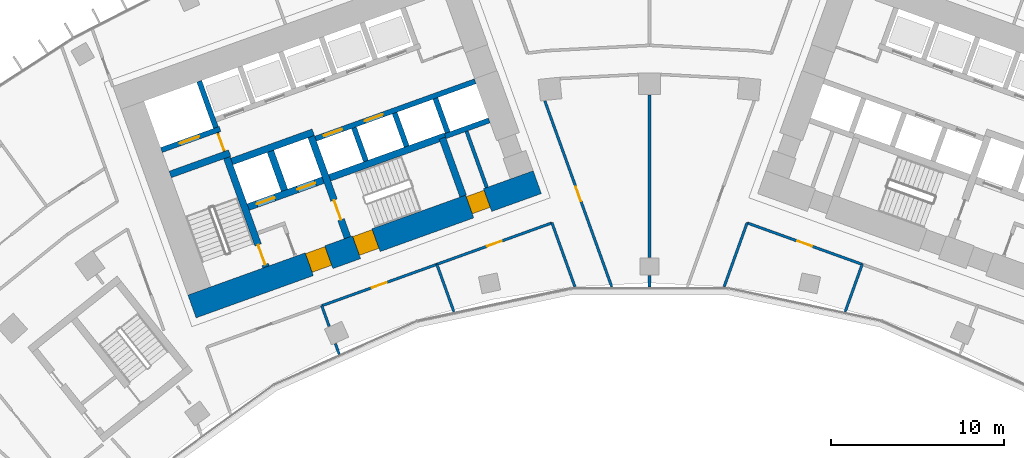
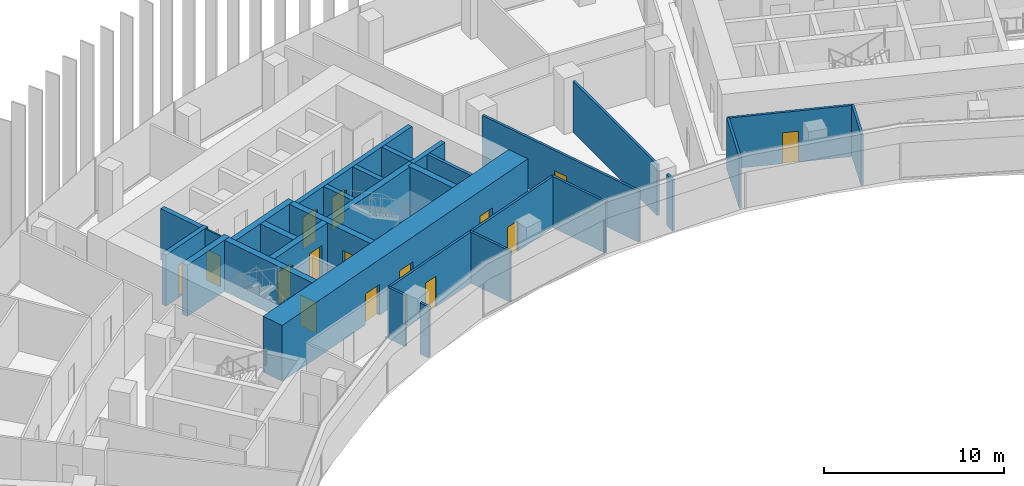
# One storey, part 16 of 23: 29 walls, 15 doors, 15 openings.
"""IFC4 building model written with IfcOpenShell, lengths in metres."""

from ifc_helpers import new_model, si_unit, direction, frame, frame_2d, origin, place, context, subcontext, project, spatial, rectangle, extrude, material, layer, layer_set, type_object, element, fill, save


model = new_model("IFC4")

# Units and contexts
model_context = context("Model", 3, precision=1e-05, world=origin(), true_north=direction((0.0, 1.0)))
body_context = subcontext(model_context, "Body", "Model", "MODEL_VIEW")
ifc_project = project(units=[si_unit("LENGTHUNIT", "METRE"), si_unit("AREAUNIT", "SQUARE_METRE"), si_unit("VOLUMEUNIT", "CUBIC_METRE"), si_unit("PLANEANGLEUNIT", "RADIAN"), si_unit("MASSUNIT", "GRAM", prefix="KILO")], contexts=[model_context])

# Site, building, storey
site_placement = place(None, origin())
site = spatial("IfcSite", under=ifc_project, at=site_placement, CompositionType="ELEMENT")
building_placement = place(site_placement, origin())
building = spatial("IfcBuilding", under=site, at=building_placement, Name="Stone Belt Terrace Tower", CompositionType="ELEMENT")
storey_placement = place(building_placement, frame((0.0, 0.0, 144.0)))
storey = spatial("IfcBuildingStorey", under=building, at=storey_placement, Name="L34", CompositionType="ELEMENT", Elevation=144.0)

# Wall, opening, door
ifc_material_1 = material(Name="Plasterboard partition")
ifc_layer_1 = layer(ifc_material_1, 0.10009765625)
ifc_layer_set_1 = layer_set([ifc_layer_1], Name="Core partition 100")
wall_type_1 = type_object("IfcWallType", Name="Core partition 100", PredefinedType="PARTITIONING", material=ifc_layer_set_1)
wall_1_placement = place(storey_placement, frame((-24.555908203125, 51.10400390625, 0.0), z_axis=(0.0, 0.0, 1.0), x_axis=(-0.338621735342, 0.94092258999, 0.0)))
wall_1 = element("IfcWall", 1, at=wall_1_placement, inside=storey, type_object=wall_type_1, Name="Core A wall", PredefinedType="PARTITIONING", context=body_context, shape_type="SweptSolid", body=[
    extrude(rectangle(XDim=1.14990234375, YDim=0.10009765625, at=frame_2d((0.574951171875, 0.0))), origin(), (0.0, 0.0, 1.0), 3.47998046875),
])
opening_1_placement = place(wall_1_placement, frame((0.050048828125, 0.0, 0.0)))
opening_1 = element("IfcOpeningElement", 2, at=opening_1_placement, cuts=wall_1, Name="Opening L34-C02", PredefinedType="OPENING", context=body_context, shape_type="SweptSolid", body=[
    extrude(rectangle(XDim=1.0, YDim=2.10009765625, at=frame_2d((0.5, 1.050048828125))), frame((0.0, 0.06005859375, 0.0), z_axis=(0.0, -1.0, 0.0), x_axis=(1.0, 0.0, 0.0)), (0.0, 0.0, 1.0), 0.1201171875),
])
ifc_material_2 = material(Name="Timber door leaf", Category="wood")
door_type_1 = type_object("IfcDoorType", Name="Core room door 1000", OperationType="SINGLE_SWING_LEFT", PredefinedType="DOOR", material=ifc_material_2)
door_1_placement = place(opening_1_placement, origin())
door_1 = element("IfcDoor", 3, at=door_1_placement, inside=storey, type_object=door_type_1, Name="Service lift lobby door core A", OperationType="SINGLE_SWING_RIGHT", OverallHeight=2.10009765625, OverallWidth=1.0, PredefinedType="DOOR", context=body_context, shape_type="SweptSolid", body=[
    extrude(rectangle(XDim=1.0, YDim=2.10009765625, at=frame_2d((0.5, 1.050048828125))), frame((0.0, 0.02490234375, 0.0), z_axis=(0.0, -1.0, 0.0), x_axis=(1.0, 0.0, 0.0)), (0.0, 0.0, 1.0), 0.050048828125),
])
fill(opening_1, door_1)

# Wall, openings, doors
ifc_material_3 = material(Name="Concrete B80", Category="concrete")
ifc_layer_2 = layer(ifc_material_3, 1.39990234375)
ifc_layer_set_2 = layer_set([ifc_layer_2], Name="Core wall 1400 B80")
wall_type_2 = type_object("IfcWallType", Name="Core wall 1400 B80", PredefinedType="SHEAR", material=ifc_layer_set_2)
wall_2_placement = place(storey_placement, frame((-26.430908203125, 42.139404296875, 0.0), z_axis=(0.0, 0.0, 1.0), x_axis=(0.940923374003, 0.33861955681, 0.0)))
wall_2 = element("IfcWall", 4, at=wall_2_placement, inside=storey, type_object=wall_type_2, Name="Core A wall concave L34", PredefinedType="SHEAR", context=body_context, shape_type="SweptSolid", body=[
    extrude(rectangle(XDim=21.199951171875, YDim=1.39990234375, at=frame_2d((10.60009765625, 0.0))), origin(), (0.0, 0.0, 1.0), 3.800048828125),
])
opening_2_placement = place(wall_2_placement, frame((7.199951171875, 0.0, 0.0)))
opening_2 = element("IfcOpeningElement", 5, at=opening_2_placement, cuts=wall_2, Name="Opening L34-C06", PredefinedType="OPENING", context=body_context, shape_type="SweptSolid", body=[
    extrude(rectangle(XDim=1.199951171875, YDim=2.10009765625, at=frame_2d((0.60009765625, 1.050048828125))), frame((0.0, 0.7099609375, 0.0), z_axis=(0.0, -1.0, 0.0), x_axis=(1.0, 0.0, 0.0)), (0.0, 0.0, 1.0), 1.419921875),
])
opening_3_placement = place(wall_2_placement, frame((10.099853515625, 0.0, 0.0)))
opening_3 = element("IfcOpeningElement", 6, at=opening_3_placement, cuts=wall_2, Name="Opening L34-C08", PredefinedType="OPENING", context=body_context, shape_type="SweptSolid", body=[
    extrude(rectangle(XDim=1.199951171875, YDim=2.10009765625, at=frame_2d((0.60009765625, 1.050048828125))), frame((0.0, 0.7099609375, 0.0), z_axis=(0.0, -1.0, 0.0), x_axis=(1.0, 0.0, 0.0)), (0.0, 0.0, 1.0), 1.419921875),
])
opening_4_placement = place(wall_2_placement, frame((17.050048828125, 0.0, 0.0)))
opening_4 = element("IfcOpeningElement", 7, at=opening_4_placement, cuts=wall_2, Name="Opening L34-C10", PredefinedType="OPENING", context=body_context, shape_type="SweptSolid", body=[
    extrude(rectangle(XDim=1.10009765625, YDim=2.10009765625, at=frame_2d((0.550048828125, 1.050048828125))), frame((0.0, 0.7099609375, 0.0), z_axis=(0.0, -1.0, 0.0), x_axis=(1.0, 0.0, 0.0)), (0.0, 0.0, 1.0), 1.419921875),
])
door_type_2 = type_object("IfcDoorType", Name="Core room door 1100", OperationType="SINGLE_SWING_LEFT", PredefinedType="DOOR", material=ifc_material_2)
door_2_placement = place(opening_4_placement, origin())
door_2 = element("IfcDoor", 8, at=door_2_placement, inside=storey, type_object=door_type_2, Name="Door to Communications riser room core A", OperationType="SINGLE_SWING_RIGHT", OverallHeight=2.10009765625, OverallWidth=1.10009765625, PredefinedType="DOOR", context=body_context, shape_type="SweptSolid", body=[
    extrude(rectangle(XDim=1.10009765625, YDim=2.10009765625, at=frame_2d((0.550048828125, 1.050048828125))), frame((0.0, 0.60498046875, 0.0), z_axis=(0.0, -1.0, 0.0), x_axis=(1.0, 0.0, 0.0)), (0.0, 0.0, 1.0), 1.050048828125),
])
fill(opening_4, door_2)
ifc_material_4 = material(Name="Steel door leaf", Category="steel")
door_type_3 = type_object("IfcDoorType", Name="Fire-fighting lobby door 1200", OperationType="SINGLE_SWING_LEFT", PredefinedType="DOOR", material=ifc_material_4)
door_3_placement = place(opening_2_placement, origin())
door_3 = element("IfcDoor", 9, at=door_3_placement, inside=storey, type_object=door_type_3, Name="Fire-fighting lobby door core A", OperationType="SINGLE_SWING_RIGHT", OverallHeight=2.10009765625, OverallWidth=1.199951171875, PredefinedType="DOOR", context=body_context, shape_type="SweptSolid", body=[
    extrude(rectangle(XDim=1.199951171875, YDim=2.10009765625, at=frame_2d((0.60009765625, 1.050048828125))), frame((0.0, 0.655029296875, 0.0), z_axis=(0.0, -1.0, 0.0), x_axis=(1.0, 0.0, 0.0)), (0.0, 0.0, 1.0), 1.14990234375),
])
fill(opening_2, door_3)
door_type_4 = type_object("IfcDoorType", Name="Stair door 1200", OperationType="SINGLE_SWING_LEFT", PredefinedType="DOOR", material=ifc_material_4)
door_4_placement = place(opening_3_placement, origin())
door_4 = element("IfcDoor", 10, at=door_4_placement, inside=storey, type_object=door_type_4, Name="Stair 2 exit door core A", OperationType="SINGLE_SWING_LEFT", OverallHeight=2.10009765625, OverallWidth=1.199951171875, PredefinedType="DOOR", context=body_context, shape_type="SweptSolid", body=[
    extrude(rectangle(XDim=1.199951171875, YDim=2.10009765625, at=frame_2d((0.60009765625, 1.050048828125))), frame((0.0, 0.655029296875, 0.0), z_axis=(0.0, -1.0, 0.0), x_axis=(1.0, 0.0, 0.0)), (0.0, 0.0, 1.0), 1.14990234375),
])
fill(opening_3, door_4)

# Walls
ifc_layer_3 = layer(ifc_material_3, 0.39990234375)
ifc_layer_set_3 = layer_set([ifc_layer_3], Name="Fire-fighting lift shaft wall 400")
wall_type_3 = type_object("IfcWallType", Name="Fire-fighting lift shaft wall 400", PredefinedType="SHEAR", material=ifc_layer_set_3)
wall_3_placement = place(storey_placement, frame((-24.130615234375, 50.512939453125, 0.0), z_axis=(0.0, 0.0, 1.0), x_axis=(0.94091168377, 0.338652038744, 0.0)))
element("IfcWall", 11, at=wall_3_placement, inside=storey, type_object=wall_type_3, Name="Core A wall", PredefinedType="SHEAR", context=body_context, shape_type="SweptSolid", body=[
    extrude(rectangle(XDim=5.000244140625, YDim=0.39990234375, at=frame_2d((2.5, 0.0))), origin(), (0.0, 0.0, 1.0), 3.47998046875),
])
wall_4_placement = place(storey_placement, frame((-21.0859375, 48.845458984375, 0.0), z_axis=(0.0, 0.0, 1.0), x_axis=(-0.338629416206, 0.940919825745, 0.0)))
element("IfcWall", 12, at=wall_4_placement, inside=storey, type_object=wall_type_3, Name="Core A wall", PredefinedType="SHEAR", context=body_context, shape_type="SweptSolid", body=[
    extrude(rectangle(XDim=2.400146484375, YDim=0.39990234375, at=frame_2d((1.2001953125, 0.0))), origin(), (0.0, 0.0, 1.0), 3.47998046875),
])

# Wall, opening, door
ifc_layer_4 = layer(ifc_material_3, 0.300048828125)
ifc_layer_set_4 = layer_set([ifc_layer_4], Name="Lift shaft wall 300")
wall_type_4 = type_object("IfcWallType", Name="Lift shaft wall 300", PredefinedType="SHEAR", material=ifc_layer_set_4)
wall_5_placement = place(storey_placement, frame((-28.195068359375, 51.17578125, 0.0), z_axis=(0.0, 0.0, 1.0), x_axis=(0.940901243567, 0.338681044427, 0.0)))
wall_5 = element("IfcWall", 13, at=wall_5_placement, inside=storey, type_object=wall_type_4, Name="Core A wall", PredefinedType="SHEAR", context=body_context, shape_type="SweptSolid", body=[
    extrude(rectangle(XDim=3.599853515625, YDim=0.300048828125, at=frame_2d((1.7998046875, 0.0))), origin(), (0.0, 0.0, 1.0), 3.47998046875),
])
opening_5_placement = place(wall_5_placement, frame((1.1201171875, 0.0, 0.0)))
opening_5 = element("IfcOpeningElement", 14, at=opening_5_placement, cuts=wall_5, Name="Opening L34-LD10", PredefinedType="OPENING", context=body_context, shape_type="SweptSolid", body=[
    extrude(rectangle(XDim=1.199951171875, YDim=2.199951171875, at=frame_2d((0.60009765625, 1.10009765625))), frame((0.0, 0.159912109375, 0.0), z_axis=(0.0, -1.0, 0.0), x_axis=(1.0, 0.0, 0.0)), (0.0, 0.0, 1.0), 0.320068359375),
])
ifc_material_5 = material(Name="Stainless steel door leaf", Category="steel")
door_type_5 = type_object("IfcDoorType", Name="Landing door 1200", OperationType="SLIDING_TO_LEFT", PredefinedType="DOOR", material=ifc_material_5)
door_5_placement = place(opening_5_placement, origin())
door_5 = element("IfcDoor", 15, at=door_5_placement, inside=storey, type_object=door_type_5, Name="Landing door SV1 core A", OperationType="SLIDING_TO_LEFT", OverallHeight=2.199951171875, OverallWidth=1.199951171875, PredefinedType="DOOR", context=body_context, shape_type="SweptSolid", body=[
    extrude(rectangle(XDim=1.199951171875, YDim=2.199951171875, at=frame_2d((0.60009765625, 1.10009765625))), frame((0.0, 0.02490234375, 0.0), z_axis=(0.0, -1.0, 0.0), x_axis=(1.0, 0.0, 0.0)), (0.0, 0.0, 1.0), 0.050048828125),
])
fill(opening_5, door_5)

# Wall
wall_6_placement = place(storey_placement, frame((-25.046875, 52.46826171875, 0.0), z_axis=(0.0, 0.0, 1.0), x_axis=(-0.338549588058, 0.940948551423, 0.0)))
element("IfcWall", 16, at=wall_6_placement, inside=storey, type_object=wall_type_4, Name="Core A wall", PredefinedType="SHEAR", context=body_context, shape_type="SweptSolid", body=[
    extrude(rectangle(XDim=2.849853515625, YDim=0.300048828125, at=frame_2d((1.4248046875, 0.0))), origin(), (0.0, 0.0, 1.0), 3.47998046875),
])

# Wall, openings, doors
wall_7_placement = place(storey_placement, frame((-19.29052734375, 51.829833984375, 0.0), z_axis=(0.0, 0.0, 1.0), x_axis=(0.940925833398, 0.338612722803, 0.0)))
wall_7 = element("IfcWall", 17, at=wall_7_placement, inside=storey, type_object=wall_type_4, Name="Core A wall", PredefinedType="SHEAR", context=body_context, shape_type="SweptSolid", body=[
    extrude(rectangle(XDim=9.7998046875, YDim=0.300048828125, at=frame_2d((4.89990234375, 0.0))), origin(), (0.0, 0.0, 1.0), 3.47998046875),
])
opening_6_placement = place(wall_7_placement, frame((0.52001953125, 0.0, 0.0)))
opening_6 = element("IfcOpeningElement", 18, at=opening_6_placement, cuts=wall_7, Name="Opening L34-LD08", PredefinedType="OPENING", context=body_context, shape_type="SweptSolid", body=[
    extrude(rectangle(XDim=1.10009765625, YDim=2.199951171875, at=frame_2d((0.550048828125, 1.10009765625))), frame((0.0, 0.159912109375, 0.0), z_axis=(0.0, -1.0, 0.0), x_axis=(1.0, 0.0, 0.0)), (0.0, 0.0, 1.0), 0.320068359375),
])
opening_7_placement = place(wall_7_placement, frame((3.02001953125, 0.0, 0.0)))
opening_7 = element("IfcOpeningElement", 19, at=opening_7_placement, cuts=wall_7, Name="Opening L34-LD09", PredefinedType="OPENING", context=body_context, shape_type="SweptSolid", body=[
    extrude(rectangle(XDim=1.10009765625, YDim=2.199951171875, at=frame_2d((0.550048828125, 1.10009765625))), frame((0.0, 0.159912109375, 0.0), z_axis=(0.0, -1.0, 0.0), x_axis=(1.0, 0.0, 0.0)), (0.0, 0.0, 1.0), 0.320068359375),
])
door_type_6 = type_object("IfcDoorType", Name="Landing door 1100", OperationType="SLIDING_TO_LEFT", PredefinedType="DOOR", material=ifc_material_5)
door_6_placement = place(opening_6_placement, origin())
door_6 = element("IfcDoor", 20, at=door_6_placement, inside=storey, type_object=door_type_6, Name="Landing door SL1 core A", OperationType="SLIDING_TO_LEFT", OverallHeight=2.199951171875, OverallWidth=1.10009765625, PredefinedType="DOOR", context=body_context, shape_type="SweptSolid", body=[
    extrude(rectangle(XDim=1.10009765625, YDim=2.199951171875, at=frame_2d((0.550048828125, 1.10009765625))), frame((0.0, 0.02490234375, 0.0), z_axis=(0.0, -1.0, 0.0), x_axis=(1.0, 0.0, 0.0)), (0.0, 0.0, 1.0), 0.050048828125),
])
fill(opening_6, door_6)
door_7_placement = place(opening_7_placement, origin())
door_7 = element("IfcDoor", 21, at=door_7_placement, inside=storey, type_object=door_type_6, Name="Landing door SL2 core A", OperationType="SLIDING_TO_LEFT", OverallHeight=2.199951171875, OverallWidth=1.10009765625, PredefinedType="DOOR", context=body_context, shape_type="SweptSolid", body=[
    extrude(rectangle(XDim=1.10009765625, YDim=2.199951171875, at=frame_2d((0.550048828125, 1.10009765625))), frame((0.0, 0.02490234375, 0.0), z_axis=(0.0, -1.0, 0.0), x_axis=(1.0, 0.0, 0.0)), (0.0, 0.0, 1.0), 0.050048828125),
])
fill(opening_7, door_7)

# Walls
for number, where, z_axis, x_axis, name in (
    (22, (-16.38134765625, 50.53857421875, 0.0), (0.0, 0.0, 1.0), (-0.338681515556, 0.940901073982, 0.0), "Core A wall"),
    (23, (-14.029052734375, 51.38525390625, 0.0), (0.0, 0.0, 1.0), (-0.338681515556, 0.940901073982, 0.0), "Core A wall"),
):
    element("IfcWall", number, at=place(storey_placement, frame(where, z_axis=z_axis, x_axis=x_axis)), inside=storey, type_object=wall_type_4, Name=name, PredefinedType="SHEAR", context=body_context, shape_type="SweptSolid", body=[
        extrude(rectangle(XDim=2.050048828125, YDim=0.300048828125, at=frame_2d((1.02490234375, 0.0))), origin(), (0.0, 0.0, 1.0), 3.47998046875),
    ])
wall_8_placement = place(storey_placement, frame((-11.797119140625, 51.975830078125, 0.0), z_axis=(0.0, 0.0, 1.0), x_axis=(0.940910465161, 0.33865542451, 0.0)))
element("IfcWall", 24, at=wall_8_placement, inside=storey, type_object=wall_type_4, Name="Core A wall", PredefinedType="SHEAR", context=body_context, shape_type="SweptSolid", body=[
    extrude(rectangle(XDim=2.69970703125, YDim=0.300048828125, at=frame_2d((1.349853515625, 0.0))), origin(), (0.0, 0.0, 1.0), 3.47998046875),
])
wall_9_placement = place(storey_placement, frame((-11.659912109375, 52.184814453125, 0.0), z_axis=(0.0, 0.0, 1.0), x_axis=(-0.338670064856, 0.940905195634, 0.0)))
element("IfcWall", 25, at=wall_9_placement, inside=storey, type_object=wall_type_4, Name="Core A wall", PredefinedType="SHEAR", context=body_context, shape_type="SweptSolid", body=[
    extrude(rectangle(XDim=2.099853515625, YDim=0.300048828125, at=frame_2d((1.0498046875, 0.0))), origin(), (0.0, 0.0, 1.0), 3.47998046875),
])
ifc_material_6 = material(Name="Gypsum board partition")
ifc_layer_5 = layer(ifc_material_6, 0.14990234375)
ifc_layer_set_5 = layer_set([ifc_layer_5], Name="PARTITION 150 EI 60")
wall_type_5 = type_object("IfcWallType", Name="PARTITION 150 EI 60", PredefinedType="PARTITIONING", material=ifc_layer_set_5)
wall_10_placement = place(storey_placement, frame((-4.31005859375, 43.27783203125, 0.0), z_axis=(0.0, 0.0, 1.0), x_axis=(-0.338490436495, 0.940969831823, 0.0)))
element("IfcWall", 26, at=wall_10_placement, inside=storey, type_object=wall_type_5, Name="L34/wall/i008", PredefinedType="PARTITIONING", context=body_context, shape_type="SweptSolid", body=[
    extrude(rectangle(XDim=3.92578125, YDim=0.14990234375, at=frame_2d((1.962890625, 0.0))), origin(), (0.0, 0.0, 1.0), 3.47998046875),
])

# Wall, opening, door
wall_11_placement = place(storey_placement, frame((-6.046875, 54.0087890625, 0.0), z_axis=(0.0, 0.0, 1.0), x_axis=(0.338658916341, -0.940909208363, 0.0)))
wall_11 = element("IfcWall", 27, at=wall_11_placement, inside=storey, type_object=wall_type_5, Name="L34/wall/i010", PredefinedType="PARTITIONING", context=body_context, shape_type="SweptSolid", body=[
    extrude(rectangle(XDim=11.422119140625, YDim=0.14990234375, at=frame_2d((5.7109375, 0.0))), origin(), (0.0, 0.0, 1.0), 3.47998046875),
])
opening_8_placement = place(wall_11_placement, frame((5.260986328125, 0.0, 0.0)))
opening_8 = element("IfcOpeningElement", 28, at=opening_8_placement, cuts=wall_11, Name="Opening D-SK1-25", PredefinedType="OPENING", context=body_context, shape_type="SweptSolid", body=[
    extrude(rectangle(XDim=0.89990234375, YDim=2.10009765625, at=frame_2d((0.449951171875, 1.050048828125))), frame((0.0, 0.0849609375, 0.0), z_axis=(0.0, -1.0, 0.0), x_axis=(1.0, 0.0, 0.0)), (0.0, 0.0, 1.0), 0.169921875),
])
door_type_7 = type_object("IfcDoorType", Name="OFFICE DOOR 900 X 2100", OperationType="NOTDEFINED", PredefinedType="DOOR", material=ifc_material_2)
door_8_placement = place(opening_8_placement, origin())
door_8 = element("IfcDoor", 29, at=door_8_placement, inside=storey, type_object=door_type_7, Name="L34/door/i25", OperationType="SINGLE_SWING_RIGHT", OverallHeight=2.10009765625, OverallWidth=0.89990234375, PredefinedType="DOOR", context=body_context, shape_type="SweptSolid", body=[
    extrude(rectangle(XDim=0.89990234375, YDim=2.10009765625, at=frame_2d((0.449951171875, 1.050048828125))), frame((0.0, 0.02490234375, 0.0), z_axis=(0.0, -1.0, 0.0), x_axis=(1.0, 0.0, 0.0)), (0.0, 0.0, 1.0), 0.050048828125),
])
fill(opening_8, door_8)

wall_12_placement = place(storey_placement, frame((-12.280029296875, 44.574951171875, 0.0), z_axis=(0.0, 0.0, 1.0), x_axis=(-0.940930050063, -0.338601005444, 0.0)))
wall_12 = element("IfcWall", 30, at=wall_12_placement, inside=storey, type_object=wall_type_5, Name="L34/wall/i013", PredefinedType="PARTITIONING", context=body_context, shape_type="SweptSolid", body=[
    extrude(rectangle(XDim=7.0791015625, YDim=0.14990234375, at=frame_2d((3.53955078125, 0.0))), origin(), (0.0, 0.0, 1.0), 3.47998046875),
])
opening_9_placement = place(wall_12_placement, frame((3.089599609375, 0.0, 0.0)))
opening_9 = element("IfcOpeningElement", 31, at=opening_9_placement, cuts=wall_12, Name="Opening D-SK1-02", PredefinedType="OPENING", context=body_context, shape_type="SweptSolid", body=[
    extrude(rectangle(XDim=0.89990234375, YDim=2.10009765625, at=frame_2d((0.449951171875, 1.050048828125))), frame((0.0, 0.0849609375, 0.0), z_axis=(0.0, -1.0, 0.0), x_axis=(1.0, 0.0, 0.0)), (0.0, 0.0, 1.0), 0.169921875),
])
door_9_placement = place(opening_9_placement, origin())
door_9 = element("IfcDoor", 32, at=door_9_placement, inside=storey, type_object=door_type_7, Name="L34/door/i02", OperationType="SINGLE_SWING_RIGHT", OverallHeight=2.10009765625, OverallWidth=0.89990234375, PredefinedType="DOOR", context=body_context, shape_type="SweptSolid", body=[
    extrude(rectangle(XDim=0.89990234375, YDim=2.10009765625, at=frame_2d((0.449951171875, 1.050048828125))), frame((0.0, 0.02490234375, 0.0), z_axis=(0.0, -1.0, 0.0), x_axis=(1.0, 0.0, 0.0)), (0.0, 0.0, 1.0), 0.050048828125),
])
fill(opening_9, door_9)

wall_13_placement = place(storey_placement, frame((-5.636962890625, 46.966064453125, 0.0), z_axis=(0.0, 0.0, 1.0), x_axis=(-0.940923049066, -0.338620459714, 0.0)))
wall_13 = element("IfcWall", 33, at=wall_13_placement, inside=storey, type_object=wall_type_5, Name="L34/wall/i014", PredefinedType="PARTITIONING", context=body_context, shape_type="SweptSolid", body=[
    extrude(rectangle(XDim=7.07275390625, YDim=0.14990234375, at=frame_2d((3.536376953125, 0.0))), origin(), (0.0, 0.0, 1.0), 3.47998046875),
])
opening_10_placement = place(wall_13_placement, frame((3.08642578125, 0.0, 0.0)))
opening_10 = element("IfcOpeningElement", 34, at=opening_10_placement, cuts=wall_13, Name="Opening D-SK1-03", PredefinedType="OPENING", context=body_context, shape_type="SweptSolid", body=[
    extrude(rectangle(XDim=0.89990234375, YDim=2.10009765625, at=frame_2d((0.449951171875, 1.050048828125))), frame((0.0, 0.0849609375, 0.0), z_axis=(0.0, -1.0, 0.0), x_axis=(1.0, 0.0, 0.0)), (0.0, 0.0, 1.0), 0.169921875),
])
door_10_placement = place(opening_10_placement, origin())
door_10 = element("IfcDoor", 35, at=door_10_placement, inside=storey, type_object=door_type_7, Name="L34/door/i03", OperationType="SINGLE_SWING_RIGHT", OverallHeight=2.10009765625, OverallWidth=0.89990234375, PredefinedType="DOOR", context=body_context, shape_type="SweptSolid", body=[
    extrude(rectangle(XDim=0.89990234375, YDim=2.10009765625, at=frame_2d((0.449951171875, 1.050048828125))), frame((0.0, 0.02490234375, 0.0), z_axis=(0.0, -1.0, 0.0), x_axis=(1.0, 0.0, 0.0)), (0.0, 0.0, 1.0), 0.050048828125),
])
fill(opening_10, door_10)

# Walls
wall_14_placement = place(storey_placement, frame((-18.93505859375, 42.179931640625, 0.0), z_axis=(0.0, 0.0, 1.0), x_axis=(0.338575757839, -0.940939135228, 0.0)))
element("IfcWall", 36, at=wall_14_placement, inside=storey, type_object=wall_type_5, Name="L34/wall/i015", PredefinedType="PARTITIONING", context=body_context, shape_type="SweptSolid", body=[
    extrude(rectangle(XDim=1.263427734375, YDim=0.14990234375, at=frame_2d((0.6318359375, 0.0))), origin(), (0.0, 0.0, 1.0), 3.47998046875),
])
wall_15_placement = place(storey_placement, frame((-18.147705078125, 39.990966796875, 0.0), z_axis=(0.0, 0.0, 1.0), x_axis=(0.338838262821, -0.94084463736, 0.0)))
element("IfcWall", 37, at=wall_15_placement, inside=storey, type_object=wall_type_5, Name="L34/wall/i016", PredefinedType="PARTITIONING", context=body_context, shape_type="SweptSolid", body=[
    extrude(rectangle(XDim=0.655029296875, YDim=0.14990234375, at=frame_2d((0.32763671875, 0.0))), origin(), (0.0, 0.0, 1.0), 3.47998046875),
])
wall_16_placement = place(storey_placement, frame((-12.285888671875, 44.572998046875, 0.0), z_axis=(0.0, 0.0, 1.0), x_axis=(0.33837582911, -0.94101105109, 0.0)))
element("IfcWall", 38, at=wall_16_placement, inside=storey, type_object=wall_type_5, Name="L34/wall/i017", PredefinedType="PARTITIONING", context=body_context, shape_type="SweptSolid", body=[
    extrude(rectangle(XDim=2.91845703125, YDim=0.14990234375, at=frame_2d((1.459228515625, 0.0))), origin(), (0.0, 0.0, 1.0), 3.47998046875),
])
wall_17_placement = place(storey_placement, frame((5.638916015625, 46.971923828125, 0.0), z_axis=(0.0, 0.0, 1.0), x_axis=(-0.338490436495, -0.940969831823, 0.0)))
element("IfcWall", 39, at=wall_17_placement, inside=storey, type_object=wall_type_5, Name="L34/wall/i019", PredefinedType="PARTITIONING", context=body_context, shape_type="SweptSolid", body=[
    extrude(rectangle(XDim=3.92578125, YDim=0.14990234375, at=frame_2d((1.962890625, 0.0))), origin(), (0.0, 0.0, 1.0), 3.47998046875),
])

# Wall, opening, door
wall_18_placement = place(storey_placement, frame((12.2919921875, 44.571044921875, 0.0), z_axis=(0.0, 0.0, 1.0), x_axis=(-0.940923049066, 0.338620459714, 0.0)))
wall_18 = element("IfcWall", 40, at=wall_18_placement, inside=storey, type_object=wall_type_5, Name="L34/wall/i028", PredefinedType="PARTITIONING", context=body_context, shape_type="SweptSolid", body=[
    extrude(rectangle(XDim=7.07275390625, YDim=0.14990234375, at=frame_2d((3.536376953125, 0.0))), origin(), (0.0, 0.0, 1.0), 3.47998046875),
])
opening_11_placement = place(wall_18_placement, frame((3.08642578125, 0.0, 0.0)))
opening_11 = element("IfcOpeningElement", 41, at=opening_11_placement, cuts=wall_18, Name="Opening D-SK1-06", PredefinedType="OPENING", context=body_context, shape_type="SweptSolid", body=[
    extrude(rectangle(XDim=0.89990234375, YDim=2.10009765625, at=frame_2d((0.449951171875, 1.050048828125))), frame((0.0, 0.0849609375, 0.0), z_axis=(0.0, -1.0, 0.0), x_axis=(1.0, 0.0, 0.0)), (0.0, 0.0, 1.0), 0.169921875),
])
door_11_placement = place(opening_11_placement, origin())
door_11 = element("IfcDoor", 42, at=door_11_placement, inside=storey, type_object=door_type_7, Name="L34/door/i06", OperationType="SINGLE_SWING_RIGHT", OverallHeight=2.10009765625, OverallWidth=0.89990234375, PredefinedType="DOOR", context=body_context, shape_type="SweptSolid", body=[
    extrude(rectangle(XDim=0.89990234375, YDim=2.10009765625, at=frame_2d((0.449951171875, 1.050048828125))), frame((0.0, 0.02490234375, 0.0), z_axis=(0.0, -1.0, 0.0), x_axis=(1.0, 0.0, 0.0)), (0.0, 0.0, 1.0), 0.050048828125),
])
fill(opening_11, door_11)

# Walls
wall_19_placement = place(storey_placement, frame((12.285888671875, 44.572998046875, 0.0), z_axis=(0.0, 0.0, 1.0), x_axis=(-0.33837582911, -0.94101105109, 0.0)))
element("IfcWall", 43, at=wall_19_placement, inside=storey, type_object=wall_type_5, Name="L34/wall/i031", PredefinedType="PARTITIONING", context=body_context, shape_type="SweptSolid", body=[
    extrude(rectangle(XDim=2.91845703125, YDim=0.14990234375, at=frame_2d((1.459228515625, 0.0))), origin(), (0.0, 0.0, 1.0), 3.47998046875),
])
wall_20_placement = place(storey_placement, frame((0.0, 54.344970703125, 0.0), z_axis=(0.0, 0.0, 1.0), x_axis=(0.0, -1.0, 0.0)))
element("IfcWall", 44, at=wall_20_placement, inside=storey, type_object=wall_type_5, Name="L34/wall/i078", PredefinedType="PARTITIONING", context=body_context, shape_type="SweptSolid", body=[
    extrude(rectangle(XDim=9.369873046875, YDim=0.14990234375, at=frame_2d((4.68505859375, 0.0))), origin(), (0.0, 0.0, 1.0), 3.47998046875),
])
wall_21_placement = place(storey_placement, frame((0.0, 43.9150390625, 0.0), z_axis=(0.0, 0.0, 1.0), x_axis=(0.0, -1.0, 0.0)))
element("IfcWall", 45, at=wall_21_placement, inside=storey, type_object=wall_type_5, Name="L34/wall/i079", PredefinedType="PARTITIONING", context=body_context, shape_type="SweptSolid", body=[
    extrude(rectangle(XDim=0.6533203125, YDim=0.14990234375, at=frame_2d((0.32666015625, 0.0))), origin(), (0.0, 0.0, 1.0), 3.47998046875),
])
ifc_material_7 = material(Name="Concrete masonry block", Category="masonry")
ifc_layer_6 = layer(ifc_material_7, 0.199951171875)
ifc_layer_set_6 = layer_set([ifc_layer_6], Name="Rated lobby wall 200")
wall_type_6 = type_object("IfcWallType", Name="Rated lobby wall 200", PredefinedType="PARTITIONING", material=ifc_layer_set_6)
wall_22_placement = place(storey_placement, frame((-9.402099609375, 49.01171875, 0.0), z_axis=(0.0, 0.0, 1.0), x_axis=(-0.338599189079, 0.940930703695, 0.0)))
element("IfcWall", 46, at=wall_22_placement, inside=storey, type_object=wall_type_6, Name="Core A wall", PredefinedType="PARTITIONING", context=body_context, shape_type="SweptSolid", body=[
    extrude(rectangle(XDim=3.4501953125, YDim=0.199951171875, at=frame_2d((1.72509765625, 0.0))), origin(), (0.0, 0.0, 1.0), 3.47998046875),
])
ifc_layer_7 = layer(ifc_material_3, 0.39990234375)
ifc_layer_set_7 = layer_set([ifc_layer_7], Name="Stair enclosure wall 400")
wall_type_7 = type_object("IfcWallType", Name="Stair enclosure wall 400", PredefinedType="SHEAR", material=ifc_layer_set_7)
wall_23_placement = place(storey_placement, frame((-27.687255859375, 49.764404296875, 0.0), z_axis=(0.0, 0.0, 1.0), x_axis=(0.940918954884, 0.338631835981, 0.0)))
element("IfcWall", 47, at=wall_23_placement, inside=storey, type_object=wall_type_7, Name="Core A wall", PredefinedType="SHEAR", context=body_context, shape_type="SweptSolid", body=[
    extrude(rectangle(XDim=3.650146484375, YDim=0.39990234375, at=frame_2d((1.8251953125, 0.0))), origin(), (0.0, 0.0, 1.0), 3.47998046875),
])

# Wall, opening, door
wall_24_placement = place(storey_placement, frame((-22.151611328125, 44.42333984375, 0.0), z_axis=(0.0, 0.0, 1.0), x_axis=(-0.338625272931, 0.940921316866, 0.0)))
wall_24 = element("IfcWall", 48, at=wall_24_placement, inside=storey, type_object=wall_type_7, Name="Core A wall", PredefinedType="SHEAR", context=body_context, shape_type="SweptSolid", body=[
    extrude(rectangle(XDim=6.699951171875, YDim=0.39990234375, at=frame_2d((3.35009765625, 0.0))), origin(), (0.0, 0.0, 1.0), 3.47998046875),
])
opening_12_placement = place(wall_24_placement, frame((0.14990234375, 0.0, 0.0)))
opening_12 = element("IfcOpeningElement", 49, at=opening_12_placement, cuts=wall_24, Name="Opening L34-C04", PredefinedType="OPENING", context=body_context, shape_type="SweptSolid", body=[
    extrude(rectangle(XDim=1.199951171875, YDim=2.10009765625, at=frame_2d((0.60009765625, 1.050048828125))), frame((0.0, 0.2099609375, 0.0), z_axis=(0.0, -1.0, 0.0), x_axis=(1.0, 0.0, 0.0)), (0.0, 0.0, 1.0), 0.419921875),
])
door_12_placement = place(opening_12_placement, origin())
door_12 = element("IfcDoor", 50, at=door_12_placement, inside=storey, type_object=door_type_4, Name="Stair 1 door core A", OperationType="SINGLE_SWING_RIGHT", OverallHeight=2.10009765625, OverallWidth=1.199951171875, PredefinedType="DOOR", context=body_context, shape_type="SweptSolid", body=[
    extrude(rectangle(XDim=1.199951171875, YDim=2.10009765625, at=frame_2d((0.60009765625, 1.050048828125))), frame((0.0, 0.02490234375, 0.0), z_axis=(0.0, -1.0, 0.0), x_axis=(1.0, 0.0, 0.0)), (0.0, 0.0, 1.0), 0.050048828125),
])
fill(opening_12, door_12)

# Wall, openings, doors
wall_25_placement = place(storey_placement, frame((-23.182373046875, 47.87841796875, 0.0), z_axis=(0.0, 0.0, 1.0), x_axis=(0.940921101762, 0.338625870628, 0.0)))
wall_25 = element("IfcWall", 51, at=wall_25_placement, inside=storey, type_object=wall_type_7, Name="Core A wall", PredefinedType="SHEAR", context=body_context, shape_type="SweptSolid", body=[
    extrude(rectangle(XDim=12.10009765625, YDim=0.39990234375, at=frame_2d((6.050048828125, 0.0))), origin(), (0.0, 0.0, 1.0), 3.47998046875),
])
opening_13_placement = place(wall_25_placement, frame((0.52001953125, 0.0, 0.0)))
opening_13 = element("IfcOpeningElement", 52, at=opening_13_placement, cuts=wall_25, Name="Opening L34-LD06", PredefinedType="OPENING", context=body_context, shape_type="SweptSolid", body=[
    extrude(rectangle(XDim=1.10009765625, YDim=2.199951171875, at=frame_2d((0.550048828125, 1.10009765625))), frame((0.0, 0.2099609375, 0.0), z_axis=(0.0, -1.0, 0.0), x_axis=(1.0, 0.0, 0.0)), (0.0, 0.0, 1.0), 0.419921875),
])
opening_14_placement = place(wall_25_placement, frame((3.02001953125, 0.0, 0.0)))
opening_14 = element("IfcOpeningElement", 53, at=opening_14_placement, cuts=wall_25, Name="Opening L34-LD07", PredefinedType="OPENING", context=body_context, shape_type="SweptSolid", body=[
    extrude(rectangle(XDim=1.10009765625, YDim=2.199951171875, at=frame_2d((0.550048828125, 1.10009765625))), frame((0.0, 0.2099609375, 0.0), z_axis=(0.0, -1.0, 0.0), x_axis=(1.0, 0.0, 0.0)), (0.0, 0.0, 1.0), 0.419921875),
])
door_13_placement = place(opening_13_placement, origin())
door_13 = element("IfcDoor", 54, at=door_13_placement, inside=storey, type_object=door_type_6, Name="Landing door FF1 core A", OperationType="SLIDING_TO_LEFT", OverallHeight=2.199951171875, OverallWidth=1.10009765625, PredefinedType="DOOR", context=body_context, shape_type="SweptSolid", body=[
    extrude(rectangle(XDim=1.10009765625, YDim=2.199951171875, at=frame_2d((0.550048828125, 1.10009765625))), frame((0.0, 0.02490234375, 0.0), z_axis=(0.0, -1.0, 0.0), x_axis=(1.0, 0.0, 0.0)), (0.0, 0.0, 1.0), 0.050048828125),
])
fill(opening_13, door_13)
door_14_placement = place(opening_14_placement, origin())
door_14 = element("IfcDoor", 55, at=door_14_placement, inside=storey, type_object=door_type_6, Name="Landing door FF2 core A", OperationType="SLIDING_TO_LEFT", OverallHeight=2.199951171875, OverallWidth=1.10009765625, PredefinedType="DOOR", context=body_context, shape_type="SweptSolid", body=[
    extrude(rectangle(XDim=1.10009765625, YDim=2.199951171875, at=frame_2d((0.550048828125, 1.10009765625))), frame((0.0, 0.02490234375, 0.0), z_axis=(0.0, -1.0, 0.0), x_axis=(1.0, 0.0, 0.0)), (0.0, 0.0, 1.0), 0.050048828125),
])
fill(opening_14, door_14)

# Wall, opening, door
wall_26_placement = place(storey_placement, frame((-17.447021484375, 46.116455078125, 0.0), z_axis=(0.0, 0.0, 1.0), x_axis=(-0.33860791464, 0.940927563707, 0.0)))
wall_26 = element("IfcWall", 56, at=wall_26_placement, inside=storey, type_object=wall_type_7, Name="Core A wall", PredefinedType="SHEAR", context=body_context, shape_type="SweptSolid", body=[
    extrude(rectangle(XDim=6.199951171875, YDim=0.39990234375, at=frame_2d((3.10009765625, 0.0))), origin(), (0.0, 0.0, 1.0), 3.47998046875),
])
opening_15_placement = place(wall_26_placement, frame((1.10009765625, 0.0, 0.0)))
opening_15 = element("IfcOpeningElement", 57, at=opening_15_placement, cuts=wall_26, Name="Opening L34-C07", PredefinedType="OPENING", context=body_context, shape_type="SweptSolid", body=[
    extrude(rectangle(XDim=1.199951171875, YDim=2.10009765625, at=frame_2d((0.60009765625, 1.050048828125))), frame((0.0, 0.2099609375, 0.0), z_axis=(0.0, -1.0, 0.0), x_axis=(1.0, 0.0, 0.0)), (0.0, 0.0, 1.0), 0.419921875),
])
door_15_placement = place(opening_15_placement, origin())
door_15 = element("IfcDoor", 58, at=door_15_placement, inside=storey, type_object=door_type_4, Name="Stair 2 door core A", OperationType="SINGLE_SWING_RIGHT", OverallHeight=2.10009765625, OverallWidth=1.199951171875, PredefinedType="DOOR", context=body_context, shape_type="SweptSolid", body=[
    extrude(rectangle(XDim=1.199951171875, YDim=2.10009765625, at=frame_2d((0.60009765625, 1.050048828125))), frame((0.0, 0.02490234375, 0.0), z_axis=(0.0, -1.0, 0.0), x_axis=(1.0, 0.0, 0.0)), (0.0, 0.0, 1.0), 0.050048828125),
])
fill(opening_15, door_15)

# Wall
wall_27_placement = place(storey_placement, frame((-10.766357421875, 48.520751953125, 0.0), z_axis=(0.0, 0.0, 1.0), x_axis=(-0.338626928157, 0.94092072117, 0.0)))
element("IfcWall", 59, at=wall_27_placement, inside=storey, type_object=wall_type_7, Name="Core A wall", PredefinedType="SHEAR", context=body_context, shape_type="SweptSolid", body=[
    extrude(rectangle(XDim=3.550048828125, YDim=0.39990234375, at=frame_2d((1.77490234375, 0.0))), origin(), (0.0, 0.0, 1.0), 3.47998046875),
])

save(model, "model.ifc")
